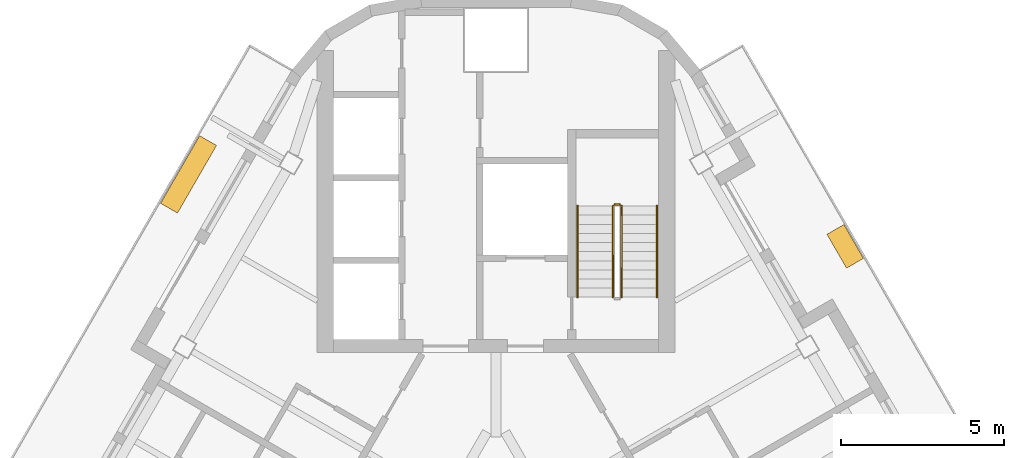
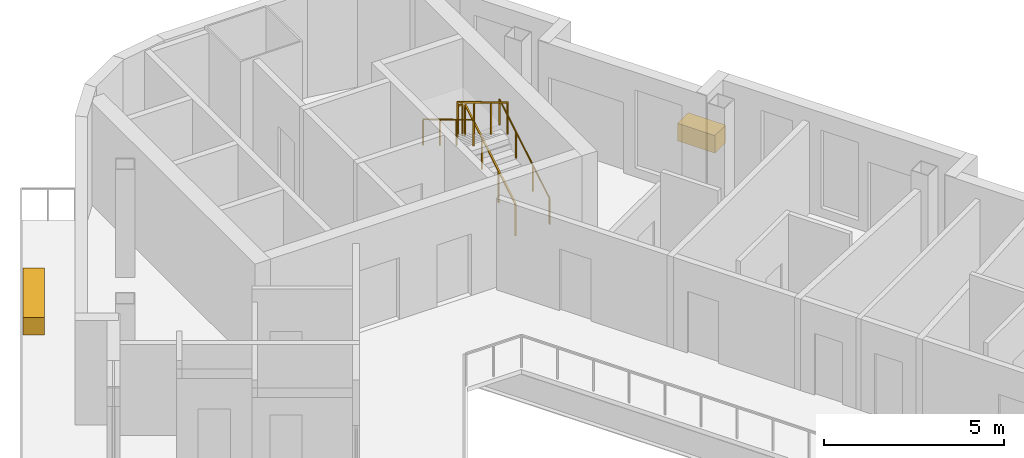
# One storey, part 11 of 11: 5 railings, 2 coverings.
"""IFC4 building model written with IfcOpenShell, lengths in metres."""

from ifc_helpers import new_model, si_unit, direction, frame, origin, origin_2d, place, context, subcontext, project, spatial, rectangle, circle, extrude, material, type_object, element, save


model = new_model("IFC4")

# Units and contexts
model_context = context("Model", 3, precision=1e-05, world=origin(), true_north=direction((0.0, 1.0)))
body_context = subcontext(model_context, "Body", "Model", "MODEL_VIEW")
ifc_project = project(units=[si_unit("LENGTHUNIT", "METRE"), si_unit("AREAUNIT", "SQUARE_METRE"), si_unit("VOLUMEUNIT", "CUBIC_METRE"), si_unit("PLANEANGLEUNIT", "RADIAN"), si_unit("MASSUNIT", "GRAM", prefix="KILO")], contexts=[model_context])

# Site, building, storey
site_placement = place(None, origin())
site = spatial("IfcSite", under=ifc_project, at=site_placement, CompositionType="ELEMENT")
building_placement = place(site_placement, origin())
building = spatial("IfcBuilding", under=site, at=building_placement, Name="Apuvela Tower Hotel", CompositionType="ELEMENT")
storey_placement = place(building_placement, frame((0.0, 0.0, 317.0)))
storey = spatial("IfcBuildingStorey", under=building, at=storey_placement, Name="L79", CompositionType="ELEMENT", Elevation=317.0)

# Railings
ifc_material_1 = material(Name="Steel S275 balustrade", Category="steel")
railing_type_1 = type_object("IfcRailingType", Name="COR-GUARD-1100", PredefinedType="GUARDRAIL", material=ifc_material_1)
railing_1_placement = place(storey_placement, frame((3.85009765625, 14.60009765625, 0.168212890625)))
element("IfcRailing", 1, at=railing_1_placement, inside=storey, type_object=railing_type_1, Name="L79 ST1 stair guard 1", PredefinedType="GUARDRAIL", context=body_context, shape_type="SweptSolid", body=[
    extrude(rectangle(XDim=0.048095703125, YDim=0.048095703125, at=origin_2d()), frame((0.0, 0.0, 1.076171875), z_axis=(0.0, 0.857222391501, 0.514946377315), x_axis=(-1.0, 0.0, 0.0)), (0.0, 0.0, 1.0), 3.26611328125),
    extrude(rectangle(XDim=0.0419921875, YDim=0.0419921875, at=origin_2d()), origin(), (0.0, 0.0, 1.0), 1.052001953125),
    extrude(rectangle(XDim=0.0419921875, YDim=0.0419921875, at=origin_2d()), frame((0.0, 0.933349609375, 0.560546875)), (0.0, 0.0, 1.0), 1.052001953125),
    extrude(rectangle(XDim=0.0419921875, YDim=0.0419921875, at=origin_2d()), frame((0.0, 1.866455078125, 1.121337890625)), (0.0, 0.0, 1.0), 1.052001953125),
    extrude(rectangle(XDim=0.0419921875, YDim=0.0419921875, at=origin_2d()), frame((0.0, 2.7998046875, 1.681884765625)), (0.0, 0.0, 1.0), 1.052001953125),
])
railing_2_placement = place(storey_placement, frame((3.800048828125, 17.449951171875, 1.85009765625)))
element("IfcRailing", 2, at=railing_2_placement, inside=storey, type_object=railing_type_1, Name="L79 ST1 stair guard 2", PredefinedType="GUARDRAIL", context=body_context, shape_type="SweptSolid", body=[
    extrude(rectangle(XDim=0.048095703125, YDim=0.048095703125, at=origin_2d()), frame((0.0, 0.0, 1.076171875), z_axis=(-1.0, 0.0, 0.0), x_axis=(0.0, -1.0, 0.0)), (0.0, 0.0, 1.0), 0.150146484375),
    extrude(rectangle(XDim=0.0419921875, YDim=0.0419921875, at=origin_2d()), origin(), (0.0, 0.0, 1.0), 1.052001953125),
    extrude(rectangle(XDim=0.0419921875, YDim=0.0419921875, at=origin_2d()), frame((-0.150146484375, 0.0, 0.0)), (0.0, 0.0, 1.0), 1.052001953125),
])
railing_3_placement = place(storey_placement, frame((3.60009765625, 17.39990234375, 2.01806640625)))
element("IfcRailing", 3, at=railing_3_placement, inside=storey, type_object=railing_type_1, Name="L79 ST1 stair guard 3", PredefinedType="GUARDRAIL", context=body_context, shape_type="SweptSolid", body=[
    extrude(rectangle(XDim=0.048095703125, YDim=0.048095703125, at=origin_2d()), frame((0.0, 0.0, 1.076171875), z_axis=(0.0, -0.857222391501, 0.514946377315), x_axis=(1.0, 0.0, 0.0)), (0.0, 0.0, 1.0), 3.26611328125),
    extrude(rectangle(XDim=0.0419921875, YDim=0.0419921875, at=origin_2d()), origin(), (0.0, 0.0, 1.0), 1.052001953125),
    extrude(rectangle(XDim=0.0419921875, YDim=0.0419921875, at=origin_2d()), frame((0.0, -0.933349609375, 0.560546875)), (0.0, 0.0, 1.0), 1.052001953125),
    extrude(rectangle(XDim=0.0419921875, YDim=0.0419921875, at=origin_2d()), frame((0.0, -1.866455078125, 1.121337890625)), (0.0, 0.0, 1.0), 1.052001953125),
    extrude(rectangle(XDim=0.0419921875, YDim=0.0419921875, at=origin_2d()), frame((0.0, -2.7998046875, 1.681884765625)), (0.0, 0.0, 1.0), 1.052001953125),
])
ifc_material_2 = material(Name="Stainless steel 316 handrail", Category="steel")
railing_type_2 = type_object("IfcRailingType", Name="COR-HANDRAIL-900", PredefinedType="HANDRAIL", material=ifc_material_2)
railing_4_placement = place(storey_placement, frame((4.949951171875, 14.60009765625, 0.168212890625)))
element("IfcRailing", 4, at=railing_4_placement, inside=storey, type_object=railing_type_2, Name="L79 ST1 stair handrail 1", PredefinedType="HANDRAIL", context=body_context, shape_type="SweptSolid", body=[
    extrude(circle(Radius=0.02392578125, at=origin_2d()), frame((0.0, 0.0, 0.8759765625), z_axis=(0.0, 0.857222391501, 0.514946377315), x_axis=(-1.0, 0.0, 0.0)), (0.0, 0.0, 1.0), 3.26611328125),
    extrude(rectangle(XDim=0.0419921875, YDim=0.0419921875, at=origin_2d()), origin(), (0.0, 0.0, 1.0), 0.851806640625),
    extrude(rectangle(XDim=0.0419921875, YDim=0.0419921875, at=origin_2d()), frame((0.0, 0.933349609375, 0.560546875)), (0.0, 0.0, 1.0), 0.851806640625),
    extrude(rectangle(XDim=0.0419921875, YDim=0.0419921875, at=origin_2d()), frame((0.0, 1.866455078125, 1.121337890625)), (0.0, 0.0, 1.0), 0.851806640625),
    extrude(rectangle(XDim=0.0419921875, YDim=0.0419921875, at=origin_2d()), frame((0.0, 2.7998046875, 1.681884765625)), (0.0, 0.0, 1.0), 0.851806640625),
])
railing_5_placement = place(storey_placement, frame((2.5, 17.39990234375, 2.01806640625)))
element("IfcRailing", 5, at=railing_5_placement, inside=storey, type_object=railing_type_2, Name="L79 ST1 stair handrail 2", PredefinedType="HANDRAIL", context=body_context, shape_type="SweptSolid", body=[
    extrude(circle(Radius=0.02392578125, at=origin_2d()), frame((0.0, 0.0, 0.8759765625), z_axis=(0.0, -0.857222391501, 0.514946377315), x_axis=(1.0, 0.0, 0.0)), (0.0, 0.0, 1.0), 3.26611328125),
    extrude(rectangle(XDim=0.0419921875, YDim=0.0419921875, at=origin_2d()), origin(), (0.0, 0.0, 1.0), 0.851806640625),
    extrude(rectangle(XDim=0.0419921875, YDim=0.0419921875, at=origin_2d()), frame((0.0, -0.933349609375, 0.560546875)), (0.0, 0.0, 1.0), 0.851806640625),
    extrude(rectangle(XDim=0.0419921875, YDim=0.0419921875, at=origin_2d()), frame((0.0, -1.866455078125, 1.121337890625)), (0.0, 0.0, 1.0), 0.851806640625),
    extrude(rectangle(XDim=0.0419921875, YDim=0.0419921875, at=origin_2d()), frame((0.0, -2.7998046875, 1.681884765625)), (0.0, 0.0, 1.0), 0.851806640625),
])

# Coverings
ifc_material_3 = material(Name="Planting substrate and soil, planted")
covering_type_1 = type_object("IfcCoveringType", Name="ENV-PLANTER-1200x600", PredefinedType="USERDEFINED", material=ifc_material_3)
covering_1_placement = place(storey_placement, frame((10.73388671875, 16.1630859375, 0.0), z_axis=(0.0, 0.0, 1.0), x_axis=(-0.5, 0.866025403784, 0.0)))
element("IfcCovering", 6, at=covering_1_placement, inside=storey, type_object=covering_type_1, Name="Planter NE4", ObjectType="PLANTER", PredefinedType="USERDEFINED", context=body_context, shape_type="SweptSolid", body=[
    extrude(rectangle(XDim=1.199951171875, YDim=0.60009765625, at=origin_2d()), origin(), (0.0, 0.0, 1.0), 0.60009765625),
])
covering_type_2 = type_object("IfcCoveringType", Name="ENV-PLANTER-2400x600", PredefinedType="USERDEFINED", material=ifc_material_3)
covering_2_placement = place(storey_placement, frame((-9.456298828125, 18.3759765625, 0.0), z_axis=(0.0, 0.0, 1.0), x_axis=(-0.5, -0.866025403784, 0.0)))
element("IfcCovering", 7, at=covering_2_placement, inside=storey, type_object=covering_type_2, Name="Planter NW5", ObjectType="PLANTER", PredefinedType="USERDEFINED", context=body_context, shape_type="SweptSolid", body=[
    extrude(rectangle(XDim=2.39990234375, YDim=0.60009765625, at=origin_2d()), origin(), (0.0, 0.0, 1.0), 0.60009765625),
])

save(model, "model.ifc")
